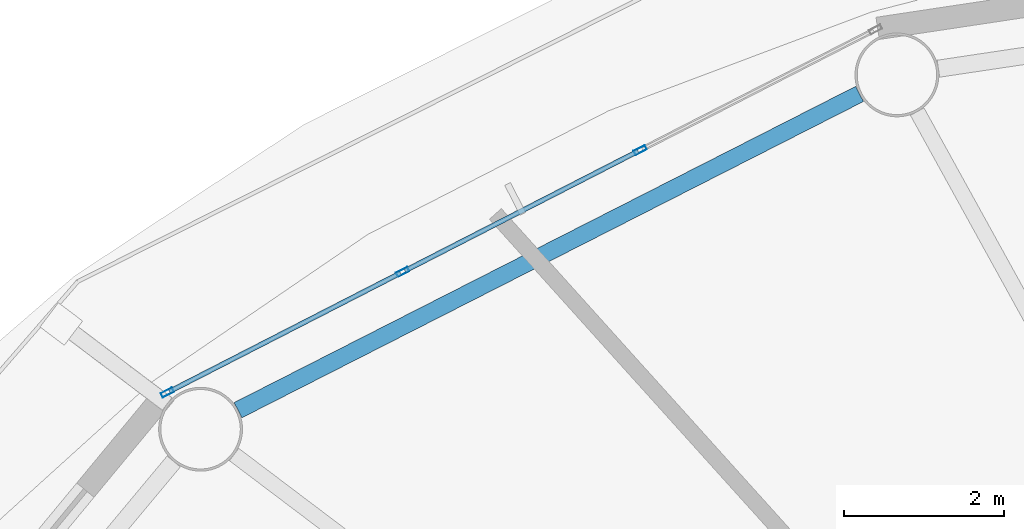
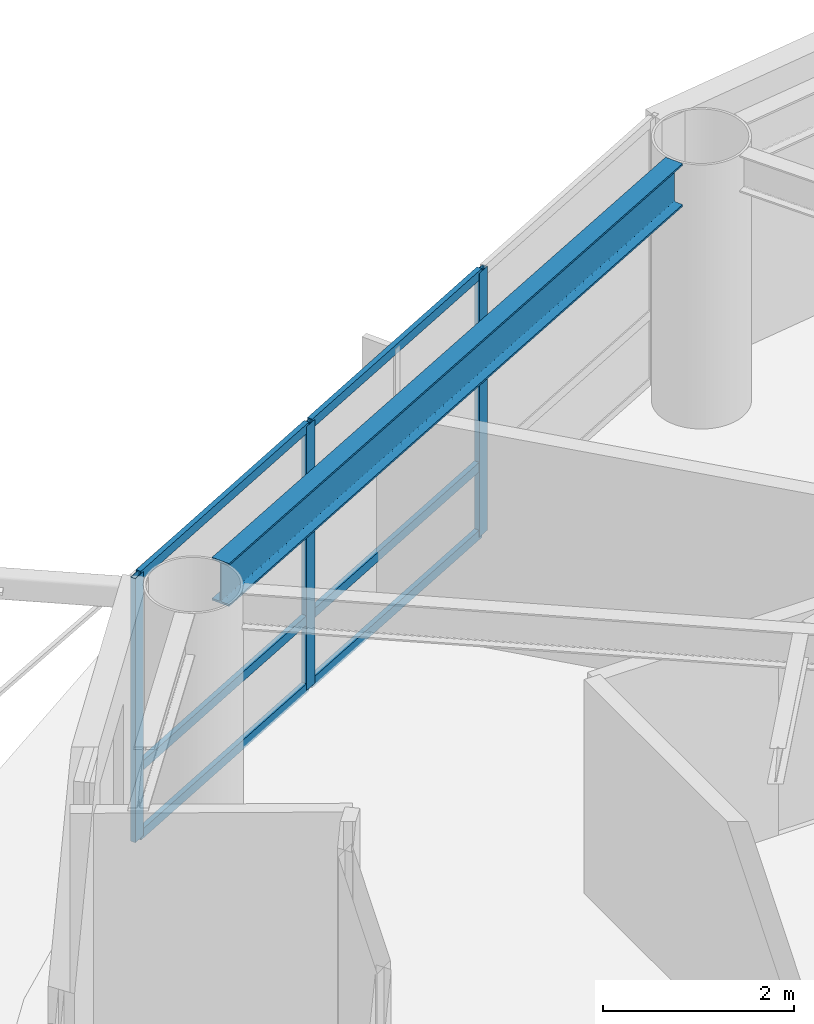
# One storey, part 11 of 30: 9 members, 1 beam, 1 element without a shape of its own.
"""IFC4 building model written with IfcOpenShell, lengths in metres."""

from ifc_helpers import new_model, si_unit, direction, frame, origin, origin_2d, place, context, subcontext, project, spatial, hollow_rectangle, i_section, extrude, material, layer, layer_set, material_profile, profile_set, type_object, element, aggregate, save


model = new_model("IFC4")

# Units and contexts
model_context = context("Model", 3, precision=1e-05, world=origin(), true_north=direction((0.0, 1.0)))
body_context = subcontext(model_context, "Body", "Model", "MODEL_VIEW")
ifc_project = project(units=[si_unit("LENGTHUNIT", "METRE"), si_unit("AREAUNIT", "SQUARE_METRE"), si_unit("VOLUMEUNIT", "CUBIC_METRE"), si_unit("PLANEANGLEUNIT", "RADIAN"), si_unit("MASSUNIT", "GRAM", prefix="KILO")], contexts=[model_context])

# Site, building, storey
site_placement = place(None, origin())
site = spatial("IfcSite", under=ifc_project, at=site_placement, CompositionType="ELEMENT")
building_placement = place(site_placement, origin())
building = spatial("IfcBuilding", under=site, at=building_placement, Name="Sarneth Arch Tower", CompositionType="ELEMENT")
storey_placement = place(building_placement, frame((0.0, 0.0, 168.60009765625)))
storey = spatial("IfcBuildingStorey", under=building, at=storey_placement, Name="L42", CompositionType="ELEMENT", Elevation=168.60009765625)

# Beam
ifc_material_1 = material(Name="Steel S355", Category="steel")
ifc_material_profile_1 = material_profile(ifc_material_1, i_section(OverallWidth=0.214111328125, OverallDepth=0.549072265625, WebThickness=0.0146484375, FlangeThickness=0.023681640625, FilletRadius=0.01806640625, at=origin_2d()), Name="W530x138")
ifc_profile_set_1 = profile_set([ifc_material_profile_1], Name="Steel S355")
beam_type = type_object("IfcBeamType", Name="BM-RAD-530A", PredefinedType="BEAM", material=ifc_profile_set_1)
beam_placement = place(storey_placement, frame((37.1103515625, 60.6552734375, 3.10546875), z_axis=(-0.891254220899, -0.453504039374, 0.0), x_axis=(0.453504039374, -0.891254220899, 0.0)))
element("IfcBeam", 1, at=beam_placement, inside=storey, type_object=beam_type, Name="L42 Perimeter spandrel beam 06", PredefinedType="BEAM", context=body_context, shape_type="SweptSolid", body=[
    extrude(i_section(OverallWidth=0.214111328125, OverallDepth=0.549072265625, WebThickness=0.0146484375, FlangeThickness=0.023681640625, FilletRadius=0.01806640625, at=origin_2d()), origin(), (0.0, 0.0, 1.0), 8.724853515625),
])

# Curtain wall, members
ifc_material_2 = material(Name="Anodised aluminium Type AA25 and solar-control low-e laminated IGU", Category="aluminium")
ifc_layer = layer(ifc_material_2, 0.169921875)
ifc_layer_set = layer_set([ifc_layer], Name="Anodised aluminium Type AA25 and solar-control low-e laminated IGU")
curtain_wall_type = type_object("IfcCurtainWallType", Name="CW-RES-MID", PredefinedType="NOTDEFINED", material=ifc_layer_set)
curtain_wall_placement = place(storey_placement, origin())
curtain_wall = element("IfcCurtainWall", 2, at=curtain_wall_placement, inside=storey, type_object=curtain_wall_type, Name="L42 Unitised curtain wall facet 06", PredefinedType="NOTDEFINED")
ifc_material_3 = material(Name="Anodised Aluminium 6063-T6", Category="aluminium")
ifc_material_profile_2 = material_profile(ifc_material_3, hollow_rectangle(XDim=0.06005859375, YDim=0.159912109375, WallThickness=0.00390625, at=origin_2d()), Name="AL-MULL-160x60x4")
ifc_profile_set_2 = profile_set([ifc_material_profile_2], Name="Anodised Aluminium 6063-T6")
member_type_1 = type_object("IfcMemberType", Name="CW-MULLION", PredefinedType="MULLION", material=ifc_profile_set_2)
member_1_placement = place(storey_placement, frame((34.365966796875, 59.9521484375, 0.0), z_axis=(0.0, 0.0, 1.0), x_axis=(0.456208470329, -0.88987293003, 0.0)))
member_1 = element("IfcMember", 3, at=member_1_placement, type_object=member_type_1, Name="CW-SYS-5 mullion 2", PredefinedType="MULLION", context=body_context, shape_type="SweptSolid", body=[
    extrude(hollow_rectangle(XDim=0.06005859375, YDim=0.159912109375, WallThickness=0.00390625, at=origin_2d()), origin(), (0.0, 0.0, 1.0), 3.3798828125),
])
member_2_placement = place(storey_placement, frame((31.39501953125, 58.428955078125, 0.0), z_axis=(0.0, 0.0, 1.0), x_axis=(0.456208470329, -0.88987293003, 0.0)))
member_2 = element("IfcMember", 4, at=member_2_placement, type_object=member_type_1, Name="CW-SYS-5 mullion 3", PredefinedType="MULLION", context=body_context, shape_type="SweptSolid", body=[
    extrude(hollow_rectangle(XDim=0.06005859375, YDim=0.159912109375, WallThickness=0.00390625, at=origin_2d()), origin(), (0.0, 0.0, 1.0), 3.3798828125),
])
member_3_placement = place(storey_placement, frame((28.450439453125, 56.91943359375, 0.0), z_axis=(0.0, 0.0, 1.0), x_axis=(0.456208470329, -0.88987293003, 0.0)))
member_3 = element("IfcMember", 5, at=member_3_placement, type_object=member_type_1, Name="CW-SYS-5 mullion 4", PredefinedType="MULLION", context=body_context, shape_type="SweptSolid", body=[
    extrude(hollow_rectangle(XDim=0.06005859375, YDim=0.159912109375, WallThickness=0.00390625, at=origin_2d()), origin(), (0.0, 0.0, 1.0), 3.3798828125),
])
ifc_material_4 = material(Name="Anodised Aluminium 6063-T6", Category="aluminium")
ifc_material_profile_3 = material_profile(ifc_material_4, hollow_rectangle(XDim=0.06005859375, YDim=0.1201171875, WallThickness=0.00390625, at=origin_2d()), Name="AL-TRAN-120x60x4")
ifc_profile_set_3 = profile_set([ifc_material_profile_3], Name="Anodised Aluminium 6063-T6")
member_type_2 = type_object("IfcMemberType", Name="CW-TRANSOM", PredefinedType="USERDEFINED", material=ifc_profile_set_3)
member_4_placement = place(storey_placement, frame((34.33935546875, 59.9384765625, 0.02978515625), z_axis=(-0.889869396751, -0.45621536222, 0.0), x_axis=(0.45621536222, -0.889869396751, 0.0)))
member_4 = element("IfcMember", 6, at=member_4_placement, type_object=member_type_2, Name="CW-SYS-5 transom 2.1", ObjectType="TRANSOM", PredefinedType="USERDEFINED", context=body_context, shape_type="SweptSolid", body=[
    extrude(hollow_rectangle(XDim=0.06005859375, YDim=0.1201171875, WallThickness=0.00390625, at=origin_2d()), origin(), (0.0, 0.0, 1.0), 3.27880859375),
])
member_5_placement = place(storey_placement, frame((34.33935546875, 59.9384765625, 0.89990234375), z_axis=(-0.889869396751, -0.45621536222, 0.0), x_axis=(0.45621536222, -0.889869396751, 0.0)))
member_5 = element("IfcMember", 7, at=member_5_placement, type_object=member_type_2, Name="CW-SYS-5 transom 2.2", ObjectType="TRANSOM", PredefinedType="USERDEFINED", context=body_context, shape_type="SweptSolid", body=[
    extrude(hollow_rectangle(XDim=0.06005859375, YDim=0.1201171875, WallThickness=0.00390625, at=origin_2d()), origin(), (0.0, 0.0, 1.0), 3.27880859375),
])
member_6_placement = place(storey_placement, frame((34.33935546875, 59.9384765625, 3.349853515625), z_axis=(-0.889869396751, -0.45621536222, 0.0), x_axis=(0.45621536222, -0.889869396751, 0.0)))
member_6 = element("IfcMember", 8, at=member_6_placement, type_object=member_type_2, Name="CW-SYS-5 transom 2.3", ObjectType="TRANSOM", PredefinedType="USERDEFINED", context=body_context, shape_type="SweptSolid", body=[
    extrude(hollow_rectangle(XDim=0.06005859375, YDim=0.1201171875, WallThickness=0.00390625, at=origin_2d()), origin(), (0.0, 0.0, 1.0), 3.27880859375),
])
member_7_placement = place(storey_placement, frame((31.3681640625, 58.415283203125, 0.02978515625), z_axis=(-0.889857362344, -0.456238835131, 0.0), x_axis=(0.456238835131, -0.889857362344, 0.0)))
member_7 = element("IfcMember", 9, at=member_7_placement, type_object=member_type_2, Name="CW-SYS-5 transom 3.1", ObjectType="TRANSOM", PredefinedType="USERDEFINED", context=body_context, shape_type="SweptSolid", body=[
    extrude(hollow_rectangle(XDim=0.06005859375, YDim=0.1201171875, WallThickness=0.00390625, at=origin_2d()), origin(), (0.0, 0.0, 1.0), 3.248779296875),
])
member_8_placement = place(storey_placement, frame((31.3681640625, 58.415283203125, 0.89990234375), z_axis=(-0.889857362344, -0.456238835131, 0.0), x_axis=(0.456238835131, -0.889857362344, 0.0)))
member_8 = element("IfcMember", 10, at=member_8_placement, type_object=member_type_2, Name="CW-SYS-5 transom 3.2", ObjectType="TRANSOM", PredefinedType="USERDEFINED", context=body_context, shape_type="SweptSolid", body=[
    extrude(hollow_rectangle(XDim=0.06005859375, YDim=0.1201171875, WallThickness=0.00390625, at=origin_2d()), origin(), (0.0, 0.0, 1.0), 3.248779296875),
])
member_9_placement = place(storey_placement, frame((31.3681640625, 58.415283203125, 3.349853515625), z_axis=(-0.889857362344, -0.456238835131, 0.0), x_axis=(0.456238835131, -0.889857362344, 0.0)))
member_9 = element("IfcMember", 11, at=member_9_placement, type_object=member_type_2, Name="CW-SYS-5 transom 3.3", ObjectType="TRANSOM", PredefinedType="USERDEFINED", context=body_context, shape_type="SweptSolid", body=[
    extrude(hollow_rectangle(XDim=0.06005859375, YDim=0.1201171875, WallThickness=0.00390625, at=origin_2d()), origin(), (0.0, 0.0, 1.0), 3.248779296875),
])
aggregate(curtain_wall, [member_1, member_2, member_3, member_4, member_5, member_6, member_7, member_8, member_9])

save(model, "model.ifc")
